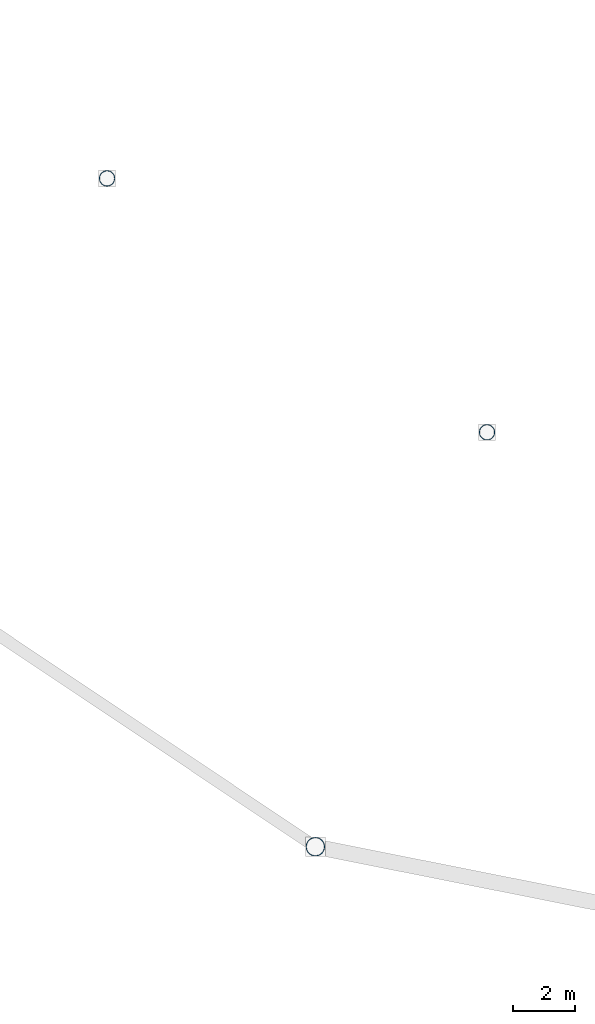
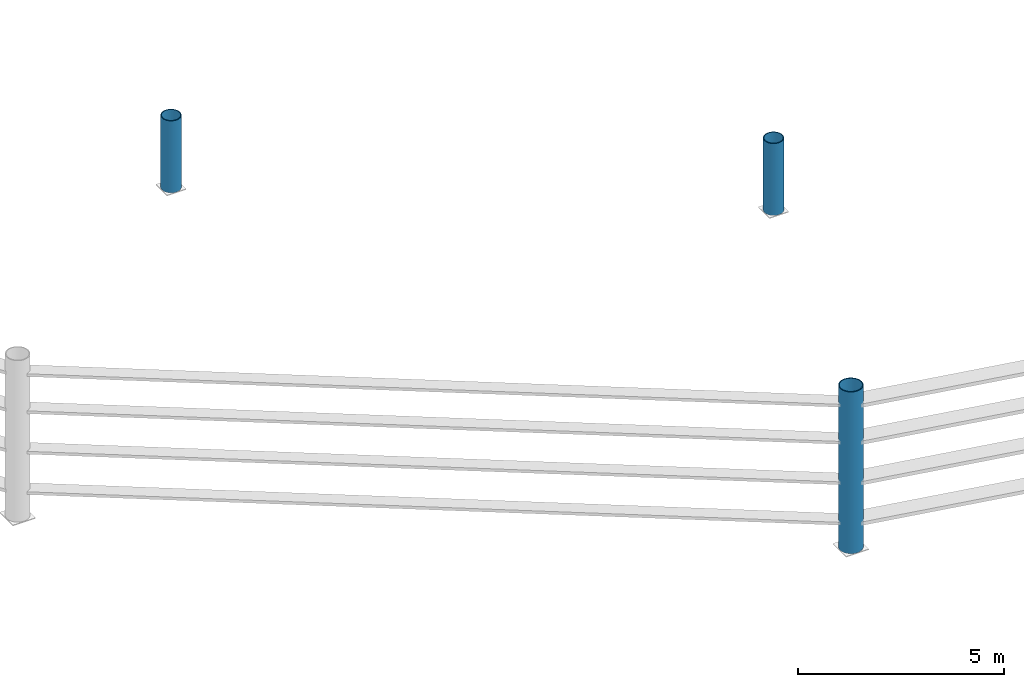
# One storey, part 2 of 29: 3 columns.
"""IFC4 building model written with IfcOpenShell, lengths in metres."""

from ifc_helpers import new_model, si_unit, direction, frame, origin, origin_2d, place, context, subcontext, project, spatial, hollow_circle, extrude, material, material_profile, profile_set, type_object, element, save


model = new_model("IFC4")

# Units and contexts
model_context = context("Model", 3, precision=1e-05, world=origin(), true_north=direction((0.0, 1.0)))
body_context = subcontext(model_context, "Body", "Model", "MODEL_VIEW")
ifc_project = project(units=[si_unit("LENGTHUNIT", "METRE"), si_unit("AREAUNIT", "SQUARE_METRE"), si_unit("VOLUMEUNIT", "CUBIC_METRE"), si_unit("PLANEANGLEUNIT", "RADIAN"), si_unit("MASSUNIT", "GRAM", prefix="KILO")], contexts=[model_context])

# Site, building, storey
site_placement = place(None, origin())
site = spatial("IfcSite", under=ifc_project, at=site_placement, CompositionType="ELEMENT")
building_placement = place(site_placement, origin())
building = spatial("IfcBuilding", under=site, at=building_placement, Name="Candeia Ridge Stadium", CompositionType="ELEMENT")
storey_placement = place(building_placement, frame((0.0, 0.0, 27.0)))
storey = spatial("IfcBuildingStorey", under=building, at=storey_placement, Name="L05", CompositionType="ELEMENT", Elevation=27.0)

# Columns
ifc_material = material(Name="Steel ASTM A572 Grade 50", Category="steel")
ifc_material_profile_1 = material_profile(ifc_material, hollow_circle(Radius=0.25390625, WallThickness=0.02197265625, at=origin_2d()), Name="CHS508x22", Category="steel")
ifc_profile_set_1 = profile_set([ifc_material_profile_1], Name="Steel ASTM A572 Grade 50")
column_type_1 = type_object("IfcColumnType", Name="Roof Inner Mast CHS508x22", PredefinedType="PILASTER", material=ifc_profile_set_1)
for number, where, z_axis, x_axis, name in (
    (1, (44.412841796875, 44.412841796875, 0.0), (0.0, 0.0, 1.0), (1.0, 0.0, 0.0), "Roof truss steel mast column BC-MD-16 L05"),
    (2, (56.611083984375, 36.26220703125, 0.0), (0.0, 0.0, 1.0), (1.0, 0.0, 0.0), "Roof truss steel mast column BC-MD-17 L05"),
):
    element("IfcColumn", number, at=place(storey_placement, frame(where, z_axis=z_axis, x_axis=x_axis)), inside=storey, type_object=column_type_1, Name=name, PredefinedType="PILASTER", context=body_context, shape_type="SweptSolid", body=[
        extrude(hollow_circle(Radius=0.25390625, WallThickness=0.02197265625, at=origin_2d()), origin(), (0.0, 0.0, 1.0), 2.135986328125),
    ])
ifc_material_profile_2 = material_profile(ifc_material, hollow_circle(Radius=0.304931640625, WallThickness=0.02490234375, at=origin_2d()), Name="CHS610x25", Category="steel")
ifc_profile_set_2 = profile_set([ifc_material_profile_2], Name="Steel ASTM A572 Grade 50")
column_type_2 = type_object("IfcColumnType", Name="Roof Mast Column CHS610x25", PredefinedType="PILASTER", material=ifc_profile_set_2)
column_placement = place(storey_placement, frame((51.100341796875, 22.958251953125, 0.0), z_axis=(0.0, 0.0, 1.0), x_axis=(1.0, 0.0, 0.0)))
element("IfcColumn", 3, at=column_placement, inside=storey, type_object=column_type_2, Name="Roof truss steel mast column BC-OU-17 L05", PredefinedType="PILASTER", context=body_context, shape_type="SweptSolid", body=[
    extrude(hollow_circle(Radius=0.304931640625, WallThickness=0.02490234375, at=origin_2d()), origin(), (0.0, 0.0, 1.0), 4.800048828125),
])

save(model, "model.ifc")
